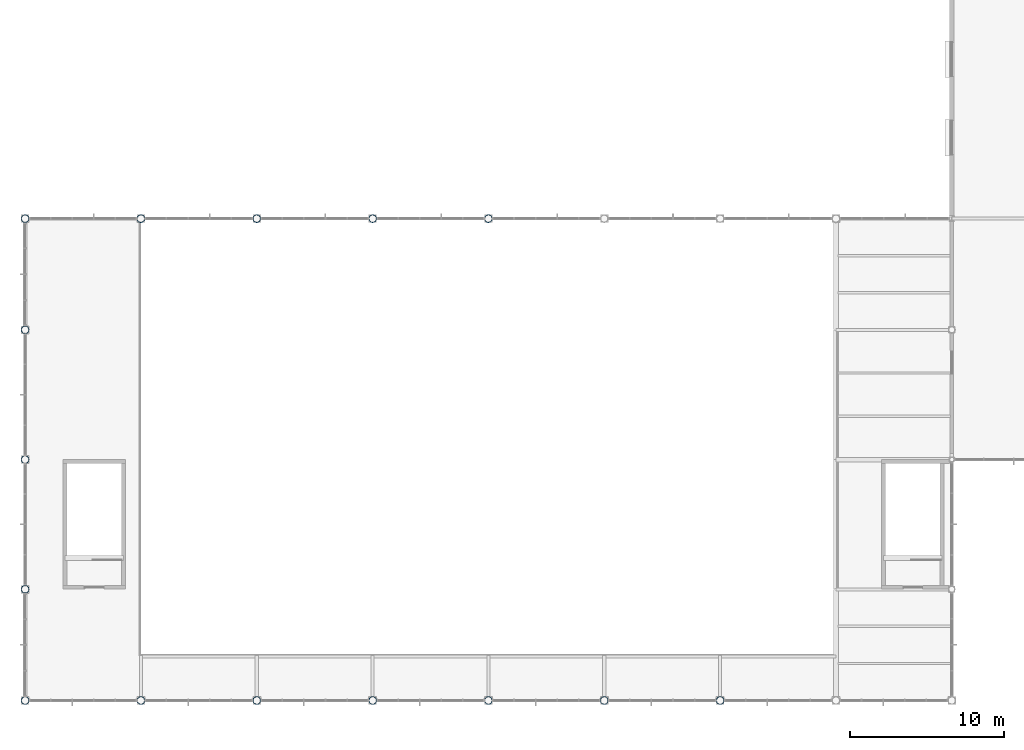
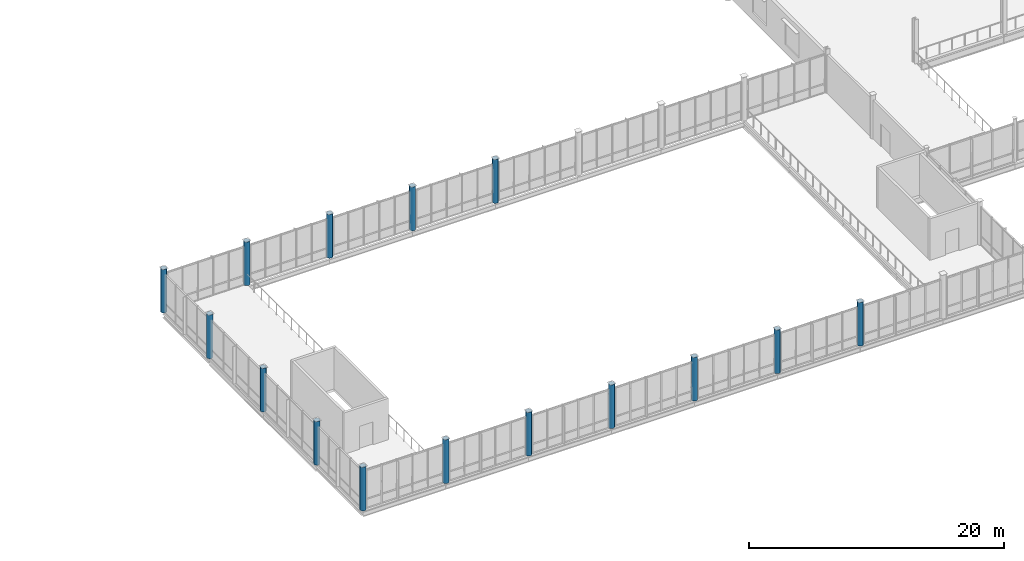
# One storey, part 1 of 75: 15 columns.
"""IFC4 building model written with IfcOpenShell, lengths in metres."""

from ifc_helpers import new_model, si_unit, direction, frame, origin, origin_2d, place, context, subcontext, project, spatial, hollow_circle, extrude, material, material_profile, profile_set, type_object, element, save


model = new_model("IFC4")

# Units and contexts
model_context = context("Model", 3, precision=1e-05, world=origin(), true_north=direction((0.0, 1.0)))
body_context = subcontext(model_context, "Body", "Model", "MODEL_VIEW")
ifc_project = project(units=[si_unit("LENGTHUNIT", "METRE"), si_unit("AREAUNIT", "SQUARE_METRE"), si_unit("VOLUMEUNIT", "CUBIC_METRE"), si_unit("PLANEANGLEUNIT", "RADIAN"), si_unit("MASSUNIT", "GRAM", prefix="KILO")], contexts=[model_context])

# Site, building, storey
site_placement = place(None, origin())
site = spatial("IfcSite", under=ifc_project, at=site_placement, CompositionType="ELEMENT")
building_placement = place(site_placement, origin())
building = spatial("IfcBuilding", under=site, at=building_placement, Name="Yukiwa Park Conservatory and Herbarium", CompositionType="ELEMENT")
storey_placement = place(building_placement, frame((0.0, 0.0, 4.800048828125)))
storey = spatial("IfcBuildingStorey", under=building, at=storey_placement, Name="L01", CompositionType="ELEMENT", Elevation=4.800048828125)

# Columns
ifc_material = material(Name="Steel Q355D", Category="steel")
ifc_material_profile = material_profile(ifc_material, hollow_circle(Radius=0.25390625, WallThickness=0.01611328125, at=origin_2d()), Name="CHS 508x16")
ifc_profile_set = profile_set([ifc_material_profile], Name="Steel Q355D")
column_type = type_object("IfcColumnType", Name="COL-CV-CHS508", PredefinedType="COLUMN", material=ifc_profile_set)
for number, where, z_axis, x_axis, name in (
    (1, (0.0, 0.0, 0.0), (0.0, 0.0, 1.0), (1.0, 0.0, 0.0), "L01 column V1-X0-Y0"),
    (2, (0.0, 7.199951171875, 0.0), (0.0, 0.0, 1.0), (1.0, 0.0, 0.0), "L01 column V1-X0-Y72"),
    (3, (0.0, 15.60009765625, 0.0), (0.0, 0.0, 1.0), (1.0, 0.0, 0.0), "L01 column V1-X0-Y156"),
    (4, (0.0, 24.0, 0.0), (0.0, 0.0, 1.0), (1.0, 0.0, 0.0), "L01 column V1-X0-Y240"),
    (5, (0.0, 31.199951171875, 0.0), (0.0, 0.0, 1.0), (1.0, 0.0, 0.0), "L01 column V1-X0-Y312"),
    (6, (7.5, 0.0, 0.0), (0.0, 0.0, 1.0), (1.0, 0.0, 0.0), "L01 column V1-X75-Y0"),
    (7, (7.5, 31.199951171875, 0.0), (0.0, 0.0, 1.0), (1.0, 0.0, 0.0), "L01 column V1-X75-Y312"),
    (8, (15.0, 0.0, 0.0), (0.0, 0.0, 1.0), (1.0, 0.0, 0.0), "L01 column V1-X150-Y0"),
    (9, (15.0, 31.199951171875, 0.0), (0.0, 0.0, 1.0), (1.0, 0.0, 0.0), "L01 column V1-X150-Y312"),
    (10, (22.5, 0.0, 0.0), (0.0, 0.0, 1.0), (1.0, 0.0, 0.0), "L01 column V1-X225-Y0"),
    (11, (22.5, 31.199951171875, 0.0), (0.0, 0.0, 1.0), (1.0, 0.0, 0.0), "L01 column V1-X225-Y312"),
    (12, (30.0, 0.0, 0.0), (0.0, 0.0, 1.0), (1.0, 0.0, 0.0), "L01 column V1-X300-Y0"),
    (13, (30.0, 31.199951171875, 0.0), (0.0, 0.0, 1.0), (1.0, 0.0, 0.0), "L01 column V1-X300-Y312"),
    (14, (37.5, 0.0, 0.0), (0.0, 0.0, 1.0), (1.0, 0.0, 0.0), "L01 column V1-X375-Y0"),
    (15, (45.0, 0.0, 0.0), (0.0, 0.0, 1.0), (1.0, 0.0, 0.0), "L01 column V1-X450-Y0"),
):
    element("IfcColumn", number, at=place(storey_placement, frame(where, z_axis=z_axis, x_axis=x_axis)), inside=storey, type_object=column_type, Name=name, PredefinedType="COLUMN", context=body_context, shape_type="SweptSolid", body=[
        extrude(hollow_circle(Radius=0.25390625, WallThickness=0.01611328125, at=origin_2d()), origin(), (0.0, 0.0, 1.0), 4.176025390625),
    ])

save(model, "model.ifc")
